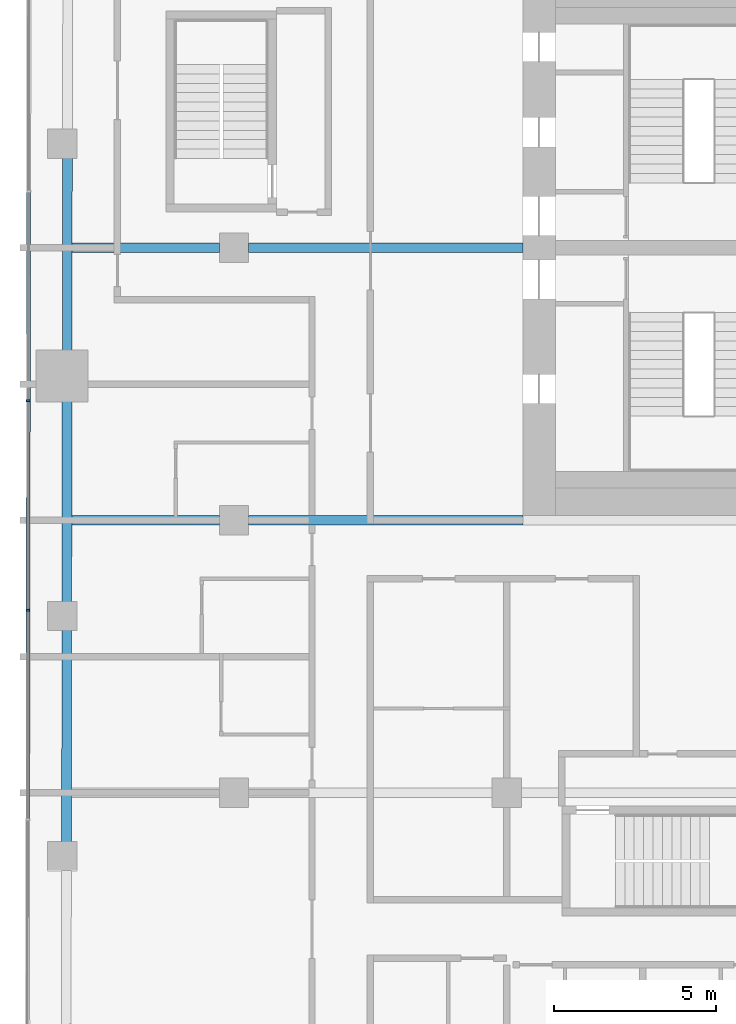
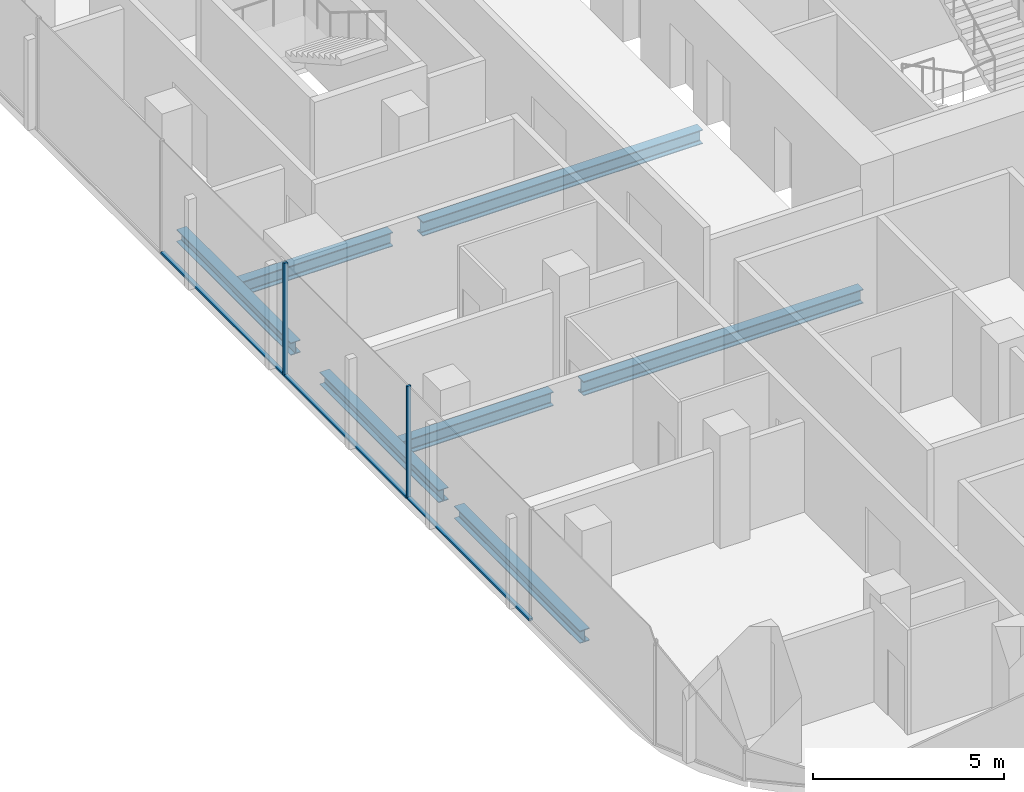
# One storey, part 4 of 23: 7 beams, 5 members, 1 element without a shape of its own.
"""IFC4 building model written with IfcOpenShell, lengths in metres."""

from ifc_helpers import new_model, si_unit, direction, frame, origin, origin_2d, place, context, subcontext, project, spatial, rectangle, i_section, extrude, material, layer, layer_set, material_profile, profile_set, type_object, element, aggregate, save


model = new_model("IFC4")

# Units and contexts
model_context = context("Model", 3, precision=1e-05, world=origin(), true_north=direction((0.0, 1.0)))
body_context = subcontext(model_context, "Body", "Model", "MODEL_VIEW")
ifc_project = project(units=[si_unit("LENGTHUNIT", "METRE"), si_unit("AREAUNIT", "SQUARE_METRE"), si_unit("VOLUMEUNIT", "CUBIC_METRE"), si_unit("PLANEANGLEUNIT", "RADIAN"), si_unit("MASSUNIT", "GRAM", prefix="KILO")], contexts=[model_context])

# Site, building, storey
site_placement = place(None, origin())
site = spatial("IfcSite", under=ifc_project, at=site_placement, CompositionType="ELEMENT")
building_placement = place(site_placement, origin())
building = spatial("IfcBuilding", under=site, at=building_placement, Name="Marenta Gate Hotel Tower", CompositionType="ELEMENT")
storey_placement = place(building_placement, frame((0.0, 0.0, 119.300048828125)))
storey = spatial("IfcBuildingStorey", under=building, at=storey_placement, Name="L26", CompositionType="ELEMENT", Elevation=119.300048828125)

# Beams
ifc_material_1 = material(Name="Steel S355", Category="steel")
ifc_material_profile_1 = material_profile(ifc_material_1, i_section(OverallWidth=0.300048828125, OverallDepth=0.39990234375, WebThickness=0.013427734375, FlangeThickness=0.02392578125, FilletRadius=0.027099609375, at=origin_2d()), Name="HEB 400")
ifc_profile_set_1 = profile_set([ifc_material_profile_1], Name="Steel S355")
beam_type_1 = type_object("IfcBeamType", Name="Edge beam HEB 400", PredefinedType="SPANDREL", material=ifc_profile_set_1)
beam_1_placement = place(storey_placement, frame((-26.167236328125, -9.94189453125, -0.4599609375), z_axis=(0.001372605919, 0.999999057976, 0.0), x_axis=(-0.999999057976, 0.001372605919, 0.0)))
element("IfcBeam", 1, at=beam_1_placement, inside=storey, type_object=beam_type_1, Name="L26-EB-6", PredefinedType="SPANDREL", context=body_context, shape_type="SweptSolid", body=[
    extrude(i_section(OverallWidth=0.300048828125, OverallDepth=0.39990234375, WebThickness=0.013427734375, FlangeThickness=0.02392578125, FilletRadius=0.027099609375, at=origin_2d()), origin(), (0.0, 0.0, 1.0), 6.5810546875),
])
beam_2_placement = place(storey_placement, frame((-26.156982421875, -2.541015625, -0.4599609375), z_axis=(0.001371364591, 0.999999059679, 0.0), x_axis=(-0.999999059679, 0.001371364591, 0.0)))
element("IfcBeam", 2, at=beam_2_placement, inside=storey, type_object=beam_type_1, Name="L26-EB-7", PredefinedType="SPANDREL", context=body_context, shape_type="SweptSolid", body=[
    extrude(i_section(OverallWidth=0.300048828125, OverallDepth=0.39990234375, WebThickness=0.013427734375, FlangeThickness=0.02392578125, FilletRadius=0.027099609375, at=origin_2d()), origin(), (0.0, 0.0, 1.0), 6.23095703125),
])
beam_3_placement = place(storey_placement, frame((-26.146484375, 5.2099609375, -0.4599609375), z_axis=(0.001387357379, 0.999999037619, 0.0), x_axis=(-0.999999037619, 0.001387357379, 0.0)))
element("IfcBeam", 3, at=beam_3_placement, inside=storey, type_object=beam_type_1, Name="L26-EB-8", PredefinedType="SPANDREL", context=body_context, shape_type="SweptSolid", body=[
    extrude(i_section(OverallWidth=0.300048828125, OverallDepth=0.39990234375, WebThickness=0.013427734375, FlangeThickness=0.02392578125, FilletRadius=0.027099609375, at=origin_2d()), origin(), (0.0, 0.0, 1.0), 5.983154296875),
])
ifc_material_2 = material(Name="Steel S355", Category="steel")
ifc_material_profile_2 = material_profile(ifc_material_2, i_section(OverallWidth=0.300048828125, OverallDepth=0.449951171875, WebThickness=0.013916015625, FlangeThickness=0.02587890625, FilletRadius=0.027099609375, at=origin_2d()), Name="HEB 450")
ifc_profile_set_2 = profile_set([ifc_material_profile_2], Name="Steel S355")
beam_type_2 = type_object("IfcBeamType", Name="Girder HEB 450", PredefinedType="BEAM", material=ifc_profile_set_2)
beam_4_placement = place(storey_placement, frame((-26.003662109375, 0.0, -0.485107421875), z_axis=(1.0, 0.0, 0.0), x_axis=(0.0, 1.0, 0.0)))
element("IfcBeam", 4, at=beam_4_placement, inside=storey, type_object=beam_type_2, Name="L26-GD-15", PredefinedType="BEAM", context=body_context, shape_type="SweptSolid", body=[
    extrude(i_section(OverallWidth=0.300048828125, OverallDepth=0.449951171875, WebThickness=0.013916015625, FlangeThickness=0.02587890625, FilletRadius=0.027099609375, at=origin_2d()), origin(), (0.0, 0.0, 1.0), 4.5537109375),
])
beam_5_placement = place(storey_placement, frame((-20.550048828125, 0.0, -0.485107421875), z_axis=(1.0, 0.0, 0.0), x_axis=(0.0, 1.0, 0.0)))
element("IfcBeam", 5, at=beam_5_placement, inside=storey, type_object=beam_type_2, Name="L26-GD-16", PredefinedType="BEAM", context=body_context, shape_type="SweptSolid", body=[
    extrude(i_section(OverallWidth=0.300048828125, OverallDepth=0.449951171875, WebThickness=0.013916015625, FlangeThickness=0.02587890625, FilletRadius=0.027099609375, at=origin_2d()), origin(), (0.0, 0.0, 1.0), 8.449951171875),
])
beam_6_placement = place(storey_placement, frame((-25.991943359375, 8.39990234375, -0.485107421875), z_axis=(1.0, 0.0, 0.0), x_axis=(0.0, 1.0, 0.0)))
element("IfcBeam", 6, at=beam_6_placement, inside=storey, type_object=beam_type_2, Name="L26-GD-20", PredefinedType="BEAM", context=body_context, shape_type="SweptSolid", body=[
    extrude(i_section(OverallWidth=0.300048828125, OverallDepth=0.449951171875, WebThickness=0.013916015625, FlangeThickness=0.02587890625, FilletRadius=0.027099609375, at=origin_2d()), origin(), (0.0, 0.0, 1.0), 4.5419921875),
])
beam_7_placement = place(storey_placement, frame((-20.550048828125, 8.39990234375, -0.485107421875), z_axis=(1.0, 0.0, 0.0), x_axis=(0.0, 1.0, 0.0)))
element("IfcBeam", 7, at=beam_7_placement, inside=storey, type_object=beam_type_2, Name="L26-GD-21", PredefinedType="BEAM", context=body_context, shape_type="SweptSolid", body=[
    extrude(i_section(OverallWidth=0.300048828125, OverallDepth=0.449951171875, WebThickness=0.013916015625, FlangeThickness=0.02587890625, FilletRadius=0.027099609375, at=origin_2d()), origin(), (0.0, 0.0, 1.0), 8.449951171875),
])

# Curtain wall, members
ifc_material_3 = material(Name="Tinted insulated glass in bronze anodised frame", Category="glass")
ifc_layer = layer(ifc_material_3, 0.1201171875)
ifc_layer_set = layer_set([ifc_layer], Name="Tinted insulated glass in bronze anodised frame")
curtain_wall_type = type_object("IfcCurtainWallType", Name="Tower unitised curtain wall CW1", PredefinedType="NOTDEFINED", material=ifc_layer_set)
curtain_wall_placement = place(storey_placement, origin())
curtain_wall = element("IfcCurtainWall", 8, at=curtain_wall_placement, inside=storey, type_object=curtain_wall_type, Name="CW1 run G03", PredefinedType="NOTDEFINED")
ifc_material_4 = material(Name="Bronze anodised aluminium", Category="aluminium")
ifc_material_profile_3 = material_profile(ifc_material_4, rectangle(XDim=0.1201171875, YDim=0.06005859375, at=origin_2d()), Name="Mullion CW1 60x120 bronze anodised aluminium")
ifc_profile_set_3 = profile_set([ifc_material_profile_3], Name="Bronze anodised aluminium")
member_type_1 = type_object("IfcMemberType", Name="Mullion CW1 60x120 bronze anodised aluminium", PredefinedType="MULLION", material=ifc_profile_set_3)
member_1_placement = place(storey_placement, frame((-27.342529296875, 3.686279296875, 0.0), z_axis=(0.0, 0.0, 1.0), x_axis=(0.99999877375, -0.001566045546, 0.0)))
member_1 = element("IfcMember", 9, at=member_1_placement, type_object=member_type_1, Name="CW1 mullion 4", PredefinedType="MULLION", context=body_context, shape_type="SweptSolid", body=[
    extrude(rectangle(XDim=0.1201171875, YDim=0.06005859375, at=origin_2d()), origin(), (0.0, 0.0, 1.0), 3.599853515625),
])
member_2_placement = place(storey_placement, frame((-27.352783203125, -2.773681640625, 0.0), z_axis=(0.0, 0.0, 1.0), x_axis=(0.99999877375, -0.001566045546, 0.0)))
member_2 = element("IfcMember", 10, at=member_2_placement, type_object=member_type_1, Name="CW1 mullion 5", PredefinedType="MULLION", context=body_context, shape_type="SweptSolid", body=[
    extrude(rectangle(XDim=0.1201171875, YDim=0.06005859375, at=origin_2d()), origin(), (0.0, 0.0, 1.0), 3.599853515625),
])
ifc_material_5 = material(Name="Bronze anodised aluminium", Category="aluminium")
ifc_material_profile_4 = material_profile(ifc_material_5, rectangle(XDim=0.1201171875, YDim=0.06005859375, at=origin_2d()), Name="Transom CW1 60x120 bronze anodised aluminium")
ifc_profile_set_4 = profile_set([ifc_material_profile_4], Name="Bronze anodised aluminium")
member_type_2 = type_object("IfcMemberType", Name="Transom CW1 60x120 bronze anodised aluminium", PredefinedType="USERDEFINED", material=ifc_profile_set_4)
member_3_placement = place(storey_placement, frame((-27.33251953125, 10.1162109375, 0.030029296875), z_axis=(-0.001564047831, -0.999998776876, 0.0), x_axis=(0.999998776876, -0.001564047831, 0.0)))
member_3 = element("IfcMember", 11, at=member_3_placement, type_object=member_type_2, Name="CW1 transom 3.1", ObjectType="TRANSOM", PredefinedType="USERDEFINED", context=body_context, shape_type="SweptSolid", body=[
    extrude(rectangle(XDim=0.1201171875, YDim=0.06005859375, at=origin_2d()), origin(), (0.0, 0.0, 1.0), 6.39990234375),
])
member_4_placement = place(storey_placement, frame((-27.3427734375, 3.65625, 0.030029296875), z_axis=(-0.001563988169, -0.99999877697, 0.0), x_axis=(0.99999877697, -0.001563988169, 0.0)))
member_4 = element("IfcMember", 12, at=member_4_placement, type_object=member_type_2, Name="CW1 transom 4.1", ObjectType="TRANSOM", PredefinedType="USERDEFINED", context=body_context, shape_type="SweptSolid", body=[
    extrude(rectangle(XDim=0.1201171875, YDim=0.06005859375, at=origin_2d()), origin(), (0.0, 0.0, 1.0), 6.400146484375),
])
member_5_placement = place(storey_placement, frame((-27.352783203125, -2.8037109375, 0.030029296875), z_axis=(-0.001563988169, -0.99999877697, 0.0), x_axis=(0.99999877697, -0.001563988169, 0.0)))
member_5 = element("IfcMember", 13, at=member_5_placement, type_object=member_type_2, Name="CW1 transom 5.1", ObjectType="TRANSOM", PredefinedType="USERDEFINED", context=body_context, shape_type="SweptSolid", body=[
    extrude(rectangle(XDim=0.1201171875, YDim=0.06005859375, at=origin_2d()), origin(), (0.0, 0.0, 1.0), 6.400146484375),
])
aggregate(curtain_wall, [member_1, member_2, member_3, member_4, member_5])

save(model, "model.ifc")
